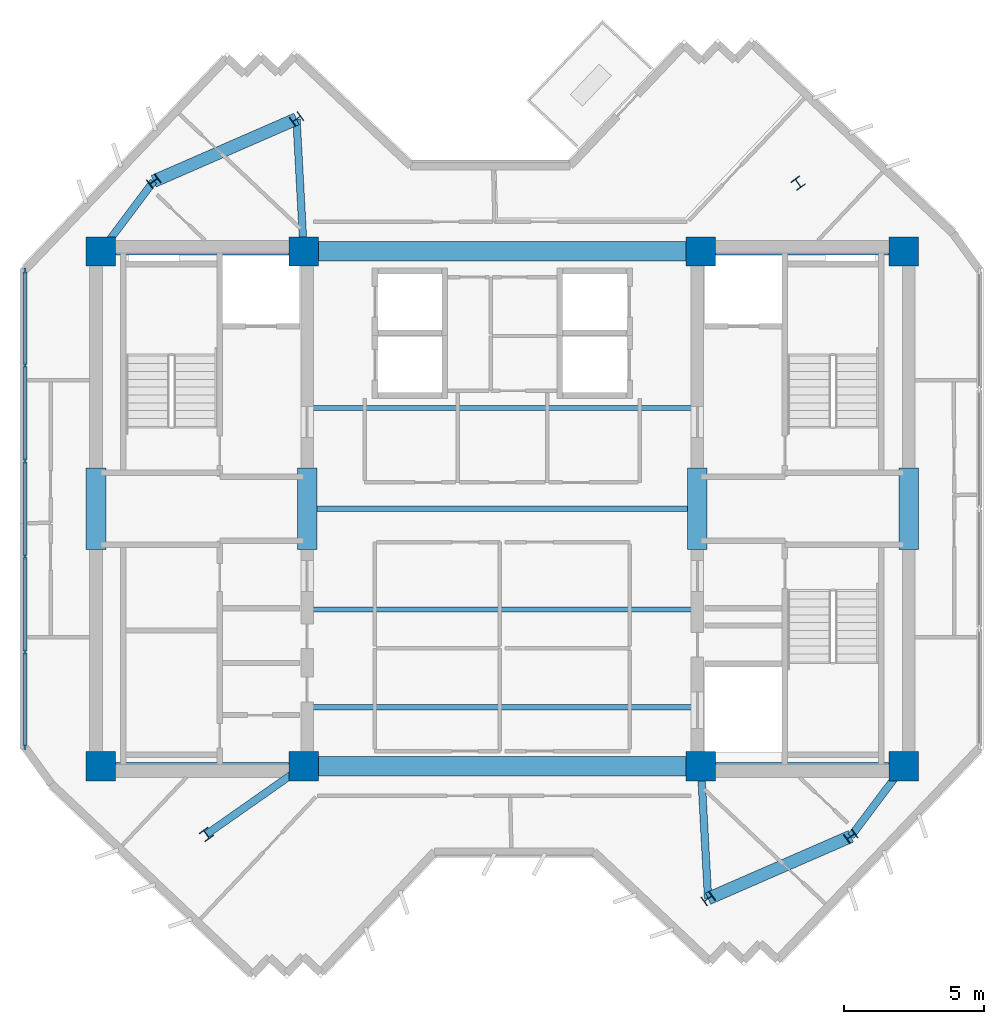
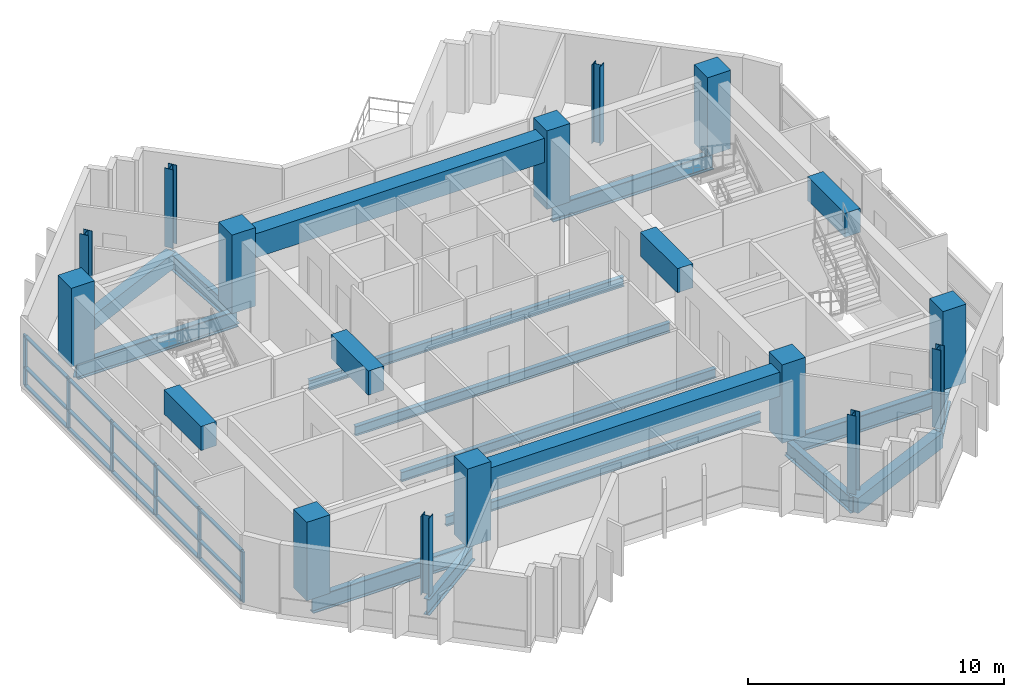
# One storey, part 1 of 9: 21 beams, 21 members, 14 columns, 1 element without a shape of its own.
"""IFC4 building model written with IfcOpenShell, lengths in metres."""

from ifc_helpers import new_model, si_unit, direction, frame, origin, origin_2d, place, context, subcontext, project, spatial, rectangle, i_section, extrude, source, transform, mapped, material, layer, layer_set, material_profile, profile_set, type_object, element, aggregate, save


model = new_model("IFC4")

# Units and contexts
model_context = context("Model", 3, precision=1e-05, world=origin(), true_north=direction((0.0, 1.0)))
body_context = subcontext(model_context, "Body", "Model", "MODEL_VIEW")
ifc_project = project(units=[si_unit("LENGTHUNIT", "METRE"), si_unit("AREAUNIT", "SQUARE_METRE"), si_unit("VOLUMEUNIT", "CUBIC_METRE"), si_unit("PLANEANGLEUNIT", "RADIAN"), si_unit("MASSUNIT", "GRAM", prefix="KILO")], contexts=[model_context])

# Site, building, storey
site_placement = place(None, origin())
site = spatial("IfcSite", under=ifc_project, at=site_placement, CompositionType="ELEMENT")
building_placement = place(site_placement, origin())
building = spatial("IfcBuilding", under=site, at=building_placement, Name="Zahravan Cultural Tower", CompositionType="ELEMENT")
storey_placement = place(building_placement, frame((0.0, 0.0, 310.35009765625)))
storey = spatial("IfcBuildingStorey", under=building, at=storey_placement, Name="L75", CompositionType="ELEMENT", Elevation=310.35009765625)

# Columns
ifc_material_1 = material(Name="Concrete C50/60", Category="concrete")
ifc_material_profile_1 = material_profile(ifc_material_1, rectangle(XDim=1.050048828125, YDim=1.050048828125, at=origin_2d()), Name="RC1050X1050")
ifc_profile_set_1 = profile_set([ifc_material_profile_1], Name="Concrete C50/60")
column_type_1 = type_object("IfcColumnType", Name="COL-RC1050", PredefinedType="COLUMN", material=ifc_profile_set_1)
shared_shape_1 = source(origin(), body_context, "Body", "SweptSolid", [
    extrude(rectangle(XDim=1.050048828125, YDim=1.050048828125, at=origin_2d()), origin(), (0.0, 0.0, 1.0), 3.75),
])
for number, where, z_axis, x_axis, name in (
    (1, (21.64990234375, 17.800048828125, 0.0), (0.0, 0.0, 1.0), (1.0, 0.0, 0.0), "L75 Column CC-W1"),
    (2, (28.89990234375, 17.800048828125, 0.0), (0.0, 0.0, 1.0), (1.0, 0.0, 0.0), "L75 Column CC-W2"),
    (3, (21.64990234375, 36.199951171875, 0.0), (0.0, 0.0, 1.0), (1.0, 0.0, 0.0), "L75 Column CC-W3"),
    (4, (28.89990234375, 36.199951171875, 0.0), (0.0, 0.0, 1.0), (1.0, 0.0, 0.0), "L75 Column CC-W4"),
    (5, (43.10009765625, 17.800048828125, 0.0), (0.0, 0.0, 1.0), (1.0, 0.0, 0.0), "L75 Column CC-E1"),
    (6, (50.35009765625, 17.800048828125, 0.0), (0.0, 0.0, 1.0), (1.0, 0.0, 0.0), "L75 Column CC-E2"),
    (7, (43.10009765625, 36.199951171875, 0.0), (0.0, 0.0, 1.0), (1.0, 0.0, 0.0), "L75 Column CC-E3"),
    (8, (50.35009765625, 36.199951171875, 0.0), (0.0, 0.0, 1.0), (1.0, 0.0, 0.0), "L75 Column CC-E4"),
):
    element("IfcColumn", number, at=place(storey_placement, frame(where, z_axis=z_axis, x_axis=x_axis)), inside=storey, type_object=column_type_1, Name=name, PredefinedType="COLUMN", context=body_context, shape_type="MappedRepresentation", body=[
        mapped(shared_shape_1, transform((0.0, 0.0, 0.0), x_axis=(1.0, 0.0, 0.0), y_axis=(0.0, 1.0, 0.0), z_axis=(0.0, 0.0, 1.0), scale=1.0)),
    ])
ifc_material_2 = material(Name="Steel ASTM A992 Grade 50", Category="steel")
ifc_material_profile_2 = material_profile(ifc_material_2, i_section(OverallWidth=0.3740234375, OverallDepth=0.3720703125, WebThickness=0.016357421875, FlangeThickness=0.026123046875, FilletRadius=0.01806640625, at=origin_2d()), Name="W14X132")
ifc_profile_set_2 = profile_set([ifc_material_profile_2], Name="Steel ASTM A992 Grade 50")
column_type_2 = type_object("IfcColumnType", Name="COL-W14X132", PredefinedType="COLUMN", material=ifc_profile_set_2)
shared_shape_2 = source(origin(), body_context, "Body", "SweptSolid", [
    extrude(i_section(OverallWidth=0.3740234375, OverallDepth=0.3720703125, WebThickness=0.016357421875, FlangeThickness=0.026123046875, FilletRadius=0.01806640625, at=origin_2d()), origin(), (0.0, 0.0, 1.0), 3.75),
])
for number, where, z_axis, x_axis, name in (
    (9, (46.577880859375, 38.640625, 0.0), (0.0, 0.0, 1.0), (0.809016994375, 0.587785252292, 0.0), "L75 Column Z3C-E2"),
    (10, (28.642578125, 40.937255859375, 0.0), (0.0, 0.0, 1.0), (-0.587785252292, 0.809016994375, 0.0), "L75 Column Z3C-N1"),
    (11, (23.536376953125, 38.710693359375, 0.0), (0.0, 0.0, 1.0), (-0.587785252292, 0.809016994375, 0.0), "L75 Column Z3C-N2"),
    (12, (25.422119140625, 15.359375, 0.0), (0.0, 0.0, 1.0), (0.809016994375, 0.587785252292, 0.0), "L75 Column Z3C-W2"),
    (13, (43.357421875, 13.062744140625, 0.0), (0.0, 0.0, 1.0), (-0.587785252292, 0.809016994375, 0.0), "L75 Column Z3C-S1"),
    (14, (48.463623046875, 15.289306640625, 0.0), (0.0, 0.0, 1.0), (-0.587785252292, 0.809016994375, 0.0), "L75 Column Z3C-S2"),
):
    element("IfcColumn", number, at=place(storey_placement, frame(where, z_axis=z_axis, x_axis=x_axis)), inside=storey, type_object=column_type_2, Name=name, PredefinedType="COLUMN", context=body_context, shape_type="MappedRepresentation", body=[
        mapped(shared_shape_2, transform((0.0, 0.0, 0.0), x_axis=(1.0, 0.0, 0.0), y_axis=(0.0, 1.0, 0.0), z_axis=(0.0, 0.0, 1.0), scale=1.0)),
    ])

# Beams
ifc_material_profile_3 = material_profile(ifc_material_1, rectangle(XDim=0.699951171875, YDim=1.14990234375, at=origin_2d()), Name="RC700X1150")
ifc_profile_set_3 = profile_set([ifc_material_profile_3], Name="Concrete C50/60")
beam_type_1 = type_object("IfcBeamType", Name="BM-LN-RC700X1150", PredefinedType="LINTEL", material=ifc_profile_set_3)
shared_shape_3 = source(origin(), body_context, "Body", "SweptSolid", [
    extrude(rectangle(XDim=0.699951171875, YDim=1.14990234375, at=origin_2d()), origin(), (0.0, 0.0, 1.0), 14.2001953125),
])
for number, where, z_axis, x_axis, name in (
    (15, (28.89990234375, 17.800048828125, 2.724853515625), (1.0, 0.0, 0.0), (0.0, 1.0, 0.0), "L75 Beam LN-L75-S"),
    (16, (28.89990234375, 36.199951171875, 2.724853515625), (1.0, 0.0, 0.0), (0.0, 1.0, 0.0), "L75 Beam LN-L75-N"),
):
    element("IfcBeam", number, at=place(storey_placement, frame(where, z_axis=z_axis, x_axis=x_axis)), inside=storey, type_object=beam_type_1, Name=name, PredefinedType="LINTEL", context=body_context, shape_type="MappedRepresentation", body=[
        mapped(shared_shape_3, transform((0.0, 0.0, 0.0), x_axis=(1.0, 0.0, 0.0), y_axis=(0.0, 1.0, 0.0), z_axis=(0.0, 0.0, 1.0), scale=1.0)),
    ])
shared_shape_4 = source(origin(), body_context, "Body", "SweptSolid", [
    extrude(rectangle(XDim=0.699951171875, YDim=1.14990234375, at=origin_2d()), origin(), (0.0, 0.0, 1.0), 2.89990234375),
])
for number, where, z_axis, x_axis, name in (
    (17, (21.47509765625, 25.550048828125, 2.724853515625), (0.0, 1.0, 0.0), (-1.0, 0.0, 0.0), "L75 Beam LN-L75-PWW"),
    (18, (29.02490234375, 25.550048828125, 2.724853515625), (0.0, 1.0, 0.0), (-1.0, 0.0, 0.0), "L75 Beam LN-L75-PWE"),
    (19, (42.97509765625, 25.550048828125, 2.724853515625), (0.0, 1.0, 0.0), (-1.0, 0.0, 0.0), "L75 Beam LN-L75-PEW"),
    (20, (50.52490234375, 25.550048828125, 2.724853515625), (0.0, 1.0, 0.0), (-1.0, 0.0, 0.0), "L75 Beam LN-L75-PEE"),
):
    element("IfcBeam", number, at=place(storey_placement, frame(where, z_axis=z_axis, x_axis=x_axis)), inside=storey, type_object=beam_type_1, Name=name, PredefinedType="LINTEL", context=body_context, shape_type="MappedRepresentation", body=[
        mapped(shared_shape_4, transform((0.0, 0.0, 0.0), x_axis=(1.0, 0.0, 0.0), y_axis=(0.0, 1.0, 0.0), z_axis=(0.0, 0.0, 1.0), scale=1.0)),
    ])
ifc_material_profile_4 = material_profile(ifc_material_2, i_section(OverallWidth=0.26611328125, OverallDepth=0.780029296875, WebThickness=0.0166015625, FlangeThickness=0.030029296875, FilletRadius=0.01904296875, at=origin_2d()), Name="W30X148")
ifc_profile_set_4 = profile_set([ifc_material_profile_4], Name="Steel ASTM A992 Grade 50")
beam_type_2 = type_object("IfcBeamType", Name="BM-G-W30X148", PredefinedType="BEAM", material=ifc_profile_set_4)
shared_shape_5 = source(origin(), body_context, "Body", "SweptSolid", [
    extrude(i_section(OverallWidth=0.26611328125, OverallDepth=0.780029296875, WebThickness=0.0166015625, FlangeThickness=0.030029296875, FilletRadius=0.01904296875, at=origin_2d()), origin(), (0.0, 0.0, 1.0), 7.25),
])
for number, where, z_axis, x_axis, name in (
    (21, (21.64990234375, 17.800048828125, -0.64013671875), (1.0, 0.0, 0.0), (0.0, 1.0, 0.0), "L75 Beam BG-L75-01"),
    (22, (21.64990234375, 36.199951171875, -0.64013671875), (1.0, 0.0, 0.0), (0.0, 1.0, 0.0), "L75 Beam BG-L75-02"),
    (23, (43.10009765625, 17.800048828125, -0.64013671875), (1.0, 0.0, 0.0), (0.0, 1.0, 0.0), "L75 Beam BG-L75-04"),
    (24, (43.10009765625, 36.199951171875, -0.64013671875), (1.0, 0.0, 0.0), (0.0, 1.0, 0.0), "L75 Beam BG-L75-05"),
):
    element("IfcBeam", number, at=place(storey_placement, frame(where, z_axis=z_axis, x_axis=x_axis)), inside=storey, type_object=beam_type_2, Name=name, PredefinedType="BEAM", context=body_context, shape_type="MappedRepresentation", body=[
        mapped(shared_shape_5, transform((0.0, 0.0, 0.0), x_axis=(1.0, 0.0, 0.0), y_axis=(0.0, 1.0, 0.0), z_axis=(0.0, 0.0, 1.0), scale=1.0)),
    ])
ifc_material_profile_5 = material_profile(ifc_material_2, i_section(OverallWidth=0.26708984375, OverallDepth=0.761962890625, WebThickness=0.014404296875, FlangeThickness=0.021484375, FilletRadius=0.01904296875, at=origin_2d()), Name="W30X116")
ifc_profile_set_5 = profile_set([ifc_material_profile_5], Name="Steel ASTM A992 Grade 50")
beam_type_3 = type_object("IfcBeamType", Name="BM-G-W30X116", PredefinedType="BEAM", material=ifc_profile_set_5)
shared_shape_6 = source(origin(), body_context, "Body", "SweptSolid", [
    extrude(i_section(OverallWidth=0.26708984375, OverallDepth=0.761962890625, WebThickness=0.014404296875, FlangeThickness=0.021484375, FilletRadius=0.01904296875, at=origin_2d()), origin(), (0.0, 0.0, 1.0), 4.248779296875),
])
beam_placement = place(storey_placement, frame((28.89990234375, 17.800048828125, -0.631103515625), z_axis=(-0.81854294596, -0.574445337365, 0.0), x_axis=(0.574445337365, -0.81854294596, 0.0)))
element("IfcBeam", 25, at=beam_placement, inside=storey, type_object=beam_type_3, Name="L75 Beam BG-L75-07", PredefinedType="BEAM", context=body_context, shape_type="MappedRepresentation", body=[
    mapped(shared_shape_6, transform((0.0, 0.0, 0.0), x_axis=(1.0, 0.0, 0.0), y_axis=(0.0, 1.0, 0.0), z_axis=(0.0, 0.0, 1.0), scale=1.0)),
])
shared_shape_7 = source(origin(), body_context, "Body", "SweptSolid", [
    extrude(i_section(OverallWidth=0.26708984375, OverallDepth=0.761962890625, WebThickness=0.014404296875, FlangeThickness=0.021484375, FilletRadius=0.01904296875, at=origin_2d()), origin(), (0.0, 0.0, 1.0), 4.744384765625),
])
for number, where, z_axis, x_axis, name in (
    (26, (43.10009765625, 17.800048828125, -0.631103515625), (0.054238739845, -0.998527996152, 0.0), (0.998527996152, 0.054238739845, 0.0), "L75 Beam BG-L75-08"),
    (27, (28.89990234375, 36.199951171875, -0.631103515625), (-0.054238739845, 0.998527996152, 0.0), (-0.998527996152, -0.054238739845, 0.0), "L75 Beam BG-L75-10"),
):
    element("IfcBeam", number, at=place(storey_placement, frame(where, z_axis=z_axis, x_axis=x_axis)), inside=storey, type_object=beam_type_3, Name=name, PredefinedType="BEAM", context=body_context, shape_type="MappedRepresentation", body=[
        mapped(shared_shape_7, transform((0.0, 0.0, 0.0), x_axis=(1.0, 0.0, 0.0), y_axis=(0.0, 1.0, 0.0), z_axis=(0.0, 0.0, 1.0), scale=1.0)),
    ])
shared_shape_8 = source(origin(), body_context, "Body", "SweptSolid", [
    extrude(i_section(OverallWidth=0.26708984375, OverallDepth=0.761962890625, WebThickness=0.014404296875, FlangeThickness=0.021484375, FilletRadius=0.01904296875, at=origin_2d()), origin(), (0.0, 0.0, 1.0), 3.140380859375),
])
for number, where, z_axis, x_axis, name in (
    (28, (50.35009765625, 17.800048828125, -0.631103515625), (-0.600696322208, -0.799477284534, 0.0), (0.799477284534, -0.600696322208, 0.0), "L75 Beam BG-L75-09"),
    (29, (21.64990234375, 36.199951171875, -0.631103515625), (0.600696322208, 0.799477284534, 0.0), (-0.799477284534, 0.600696322208, 0.0), "L75 Beam BG-L75-11"),
):
    element("IfcBeam", number, at=place(storey_placement, frame(where, z_axis=z_axis, x_axis=x_axis)), inside=storey, type_object=beam_type_3, Name=name, PredefinedType="BEAM", context=body_context, shape_type="MappedRepresentation", body=[
        mapped(shared_shape_8, transform((0.0, 0.0, 0.0), x_axis=(1.0, 0.0, 0.0), y_axis=(0.0, 1.0, 0.0), z_axis=(0.0, 0.0, 1.0), scale=1.0)),
    ])
ifc_material_3 = material(Name="Concrete C45/55", Category="concrete")
ifc_material_profile_6 = material_profile(ifc_material_3, rectangle(XDim=0.449951171875, YDim=0.719970703125, at=origin_2d()), Name="RC450X720")
ifc_profile_set_6 = profile_set([ifc_material_profile_6], Name="Concrete C45/55")
beam_type_4 = type_object("IfcBeamType", Name="BM-SP-RC450X720", PredefinedType="SPANDREL", material=ifc_profile_set_6)
shared_shape_9 = source(origin(), body_context, "Body", "SweptSolid", [
    extrude(rectangle(XDim=0.449951171875, YDim=0.719970703125, at=origin_2d()), origin(), (0.0, 0.0, 1.0), 5.570556640625),
])
for number, where, z_axis, x_axis, name in (
    (30, (43.357421875, 13.062744140625, -0.610107421875), (0.9166445026, 0.399703459896, 0.0), (-0.399703459896, 0.9166445026, 0.0), "L75 Beam SP-L75-12"),
    (31, (28.642578125, 40.937255859375, -0.610107421875), (-0.9166445026, -0.399703459896, 0.0), (0.399703459896, -0.9166445026, 0.0), "L75 Beam SP-L75-13"),
):
    element("IfcBeam", number, at=place(storey_placement, frame(where, z_axis=z_axis, x_axis=x_axis)), inside=storey, type_object=beam_type_4, Name=name, PredefinedType="SPANDREL", context=body_context, shape_type="MappedRepresentation", body=[
        mapped(shared_shape_9, transform((0.0, 0.0, 0.0), x_axis=(1.0, 0.0, 0.0), y_axis=(0.0, 1.0, 0.0), z_axis=(0.0, 0.0, 1.0), scale=1.0)),
    ])
ifc_material_profile_7 = material_profile(ifc_material_2, i_section(OverallWidth=0.18994140625, OverallDepth=0.45703125, WebThickness=0.009033203125, FlangeThickness=0.014404296875, FilletRadius=0.012939453125, at=origin_2d()), Name="W18X50")
ifc_profile_set_7 = profile_set([ifc_material_profile_7], Name="Steel ASTM A992 Grade 50")
beam_type_5 = type_object("IfcBeamType", Name="BM-J-W18X50", PredefinedType="JOIST", material=ifc_profile_set_7)
shared_shape_10 = source(origin(), body_context, "Body", "SweptSolid", [
    extrude(i_section(OverallWidth=0.18994140625, OverallDepth=0.45703125, WebThickness=0.009033203125, FlangeThickness=0.014404296875, FilletRadius=0.012939453125, at=origin_2d()), origin(), (0.0, 0.0, 1.0), 14.2001953125),
])
for number, where, z_axis, x_axis, name in (
    (32, (28.89990234375, 19.89990234375, -0.478515625), (1.0, 0.0, 0.0), (0.0, 1.0, 0.0), "L75 Beam BJ-L75-14"),
    (33, (28.89990234375, 23.39990234375, -0.478515625), (1.0, 0.0, 0.0), (0.0, 1.0, 0.0), "L75 Beam BJ-L75-15"),
    (34, (28.89990234375, 27.0, -0.478515625), (1.0, 0.0, 0.0), (0.0, 1.0, 0.0), "L75 Beam BJ-L75-16"),
    (35, (28.89990234375, 30.60009765625, -0.478515625), (1.0, 0.0, 0.0), (0.0, 1.0, 0.0), "L75 Beam BJ-L75-17"),
):
    element("IfcBeam", number, at=place(storey_placement, frame(where, z_axis=z_axis, x_axis=x_axis)), inside=storey, type_object=beam_type_5, Name=name, PredefinedType="JOIST", context=body_context, shape_type="MappedRepresentation", body=[
        mapped(shared_shape_10, transform((0.0, 0.0, 0.0), x_axis=(1.0, 0.0, 0.0), y_axis=(0.0, 1.0, 0.0), z_axis=(0.0, 0.0, 1.0), scale=1.0)),
    ])

# Curtain wall, members
ifc_material_4 = material(Name="Anodised bronze-aluminium mullion", Category="aluminium")
ifc_layer = layer(ifc_material_4, 0.199951171875)
ifc_layer_set = layer_set([ifc_layer], Name="Anodised bronze-aluminium mullion")
curtain_wall_type = type_object("IfcCurtainWallType", Name="CW-SYS-2", PredefinedType="USERDEFINED", material=ifc_layer_set)
curtain_wall_placement = place(storey_placement, origin())
curtain_wall = element("IfcCurtainWall", 36, at=curtain_wall_placement, inside=storey, type_object=curtain_wall_type, Name="L75 Recessed Curtain Wall CW-2.2", ObjectType="RECESSED GLAZING", PredefinedType="USERDEFINED")
ifc_material_profile_8 = material_profile(ifc_material_4, rectangle(XDim=0.14990234375, YDim=0.074951171875, at=origin_2d()), Name="AL-T75X150")
ifc_profile_set_8 = profile_set([ifc_material_profile_8], Name="Anodised bronze-aluminium mullion")
member_type_1 = type_object("IfcMemberType", Name="CWT-CW-2", PredefinedType="USERDEFINED", material=ifc_profile_set_8)
shared_shape_11 = source(origin(), body_context, "Body", "SweptSolid", [
    extrude(rectangle(XDim=0.14990234375, YDim=0.074951171875, at=origin_2d()), origin(), (0.0, 0.0, 1.0), 3.304443359375),
])
member_1_placement = place(storey_placement, frame((18.93994140625, 18.532958984375, 0.037353515625), z_axis=(0.0, 1.0, 0.0), x_axis=(-1.0, 0.0, 0.0)))
member_1 = element("IfcMember", 37, at=member_1_placement, type_object=member_type_1, Name="CW-2 transom 1.1", ObjectType="TRANSOM", PredefinedType="USERDEFINED", context=body_context, shape_type="MappedRepresentation", body=[
    mapped(shared_shape_11, transform((0.0, 0.0, 0.0), x_axis=(1.0, 0.0, 0.0), y_axis=(0.0, 1.0, 0.0), z_axis=(0.0, 0.0, 1.0), scale=1.0)),
])
member_2_placement = place(storey_placement, frame((18.93994140625, 18.532958984375, 0.89990234375), z_axis=(0.0, 1.0, 0.0), x_axis=(-1.0, 0.0, 0.0)))
member_2 = element("IfcMember", 38, at=member_2_placement, type_object=member_type_1, Name="CW-2 transom 1.2", ObjectType="TRANSOM", PredefinedType="USERDEFINED", context=body_context, shape_type="MappedRepresentation", body=[
    mapped(shared_shape_11, transform((0.0, 0.0, 0.0), x_axis=(1.0, 0.0, 0.0), y_axis=(0.0, 1.0, 0.0), z_axis=(0.0, 0.0, 1.0), scale=1.0)),
])
member_3_placement = place(storey_placement, frame((18.93994140625, 18.532958984375, 2.38232421875), z_axis=(0.0, 1.0, 0.0), x_axis=(-1.0, 0.0, 0.0)))
member_3 = element("IfcMember", 39, at=member_3_placement, type_object=member_type_1, Name="CW-2 transom 1.3", ObjectType="TRANSOM", PredefinedType="USERDEFINED", context=body_context, shape_type="MappedRepresentation", body=[
    mapped(shared_shape_11, transform((0.0, 0.0, 0.0), x_axis=(1.0, 0.0, 0.0), y_axis=(0.0, 1.0, 0.0), z_axis=(0.0, 0.0, 1.0), scale=1.0)),
])
member_4_placement = place(storey_placement, frame((18.93994140625, 32.16259765625, 0.037353515625), z_axis=(0.0, 1.0, 0.0), x_axis=(-1.0, 0.0, 0.0)))
member_4 = element("IfcMember", 40, at=member_4_placement, type_object=member_type_1, Name="CW-2 transom 5.1", ObjectType="TRANSOM", PredefinedType="USERDEFINED", context=body_context, shape_type="MappedRepresentation", body=[
    mapped(shared_shape_11, transform((0.0, 0.0, 0.0), x_axis=(1.0, 0.0, 0.0), y_axis=(0.0, 1.0, 0.0), z_axis=(0.0, 0.0, 1.0), scale=1.0)),
])
member_5_placement = place(storey_placement, frame((18.93994140625, 32.16259765625, 0.89990234375), z_axis=(0.0, 1.0, 0.0), x_axis=(-1.0, 0.0, 0.0)))
member_5 = element("IfcMember", 41, at=member_5_placement, type_object=member_type_1, Name="CW-2 transom 5.2", ObjectType="TRANSOM", PredefinedType="USERDEFINED", context=body_context, shape_type="MappedRepresentation", body=[
    mapped(shared_shape_11, transform((0.0, 0.0, 0.0), x_axis=(1.0, 0.0, 0.0), y_axis=(0.0, 1.0, 0.0), z_axis=(0.0, 0.0, 1.0), scale=1.0)),
])
member_6_placement = place(storey_placement, frame((18.93994140625, 32.16259765625, 2.38232421875), z_axis=(0.0, 1.0, 0.0), x_axis=(-1.0, 0.0, 0.0)))
member_6 = element("IfcMember", 42, at=member_6_placement, type_object=member_type_1, Name="CW-2 transom 5.3", ObjectType="TRANSOM", PredefinedType="USERDEFINED", context=body_context, shape_type="MappedRepresentation", body=[
    mapped(shared_shape_11, transform((0.0, 0.0, 0.0), x_axis=(1.0, 0.0, 0.0), y_axis=(0.0, 1.0, 0.0), z_axis=(0.0, 0.0, 1.0), scale=1.0)),
])
shared_shape_12 = source(origin(), body_context, "Body", "SweptSolid", [
    extrude(rectangle(XDim=0.14990234375, YDim=0.074951171875, at=origin_2d()), origin(), (0.0, 0.0, 1.0), 3.341796875),
])
member_7_placement = place(storey_placement, frame((18.93994140625, 21.912353515625, 0.037353515625), z_axis=(0.0, 1.0, 0.0), x_axis=(-1.0, 0.0, 0.0)))
member_7 = element("IfcMember", 43, at=member_7_placement, type_object=member_type_1, Name="CW-2 transom 2.1", ObjectType="TRANSOM", PredefinedType="USERDEFINED", context=body_context, shape_type="MappedRepresentation", body=[
    mapped(shared_shape_12, transform((0.0, 0.0, 0.0), x_axis=(1.0, 0.0, 0.0), y_axis=(0.0, 1.0, 0.0), z_axis=(0.0, 0.0, 1.0), scale=1.0)),
])
member_8_placement = place(storey_placement, frame((18.93994140625, 21.912353515625, 0.89990234375), z_axis=(0.0, 1.0, 0.0), x_axis=(-1.0, 0.0, 0.0)))
member_8 = element("IfcMember", 44, at=member_8_placement, type_object=member_type_1, Name="CW-2 transom 2.2", ObjectType="TRANSOM", PredefinedType="USERDEFINED", context=body_context, shape_type="MappedRepresentation", body=[
    mapped(shared_shape_12, transform((0.0, 0.0, 0.0), x_axis=(1.0, 0.0, 0.0), y_axis=(0.0, 1.0, 0.0), z_axis=(0.0, 0.0, 1.0), scale=1.0)),
])
member_9_placement = place(storey_placement, frame((18.93994140625, 21.912353515625, 2.38232421875), z_axis=(0.0, 1.0, 0.0), x_axis=(-1.0, 0.0, 0.0)))
member_9 = element("IfcMember", 45, at=member_9_placement, type_object=member_type_1, Name="CW-2 transom 2.3", ObjectType="TRANSOM", PredefinedType="USERDEFINED", context=body_context, shape_type="MappedRepresentation", body=[
    mapped(shared_shape_12, transform((0.0, 0.0, 0.0), x_axis=(1.0, 0.0, 0.0), y_axis=(0.0, 1.0, 0.0), z_axis=(0.0, 0.0, 1.0), scale=1.0)),
])
member_10_placement = place(storey_placement, frame((18.93994140625, 25.3291015625, 0.037353515625), z_axis=(0.0, 1.0, 0.0), x_axis=(-1.0, 0.0, 0.0)))
member_10 = element("IfcMember", 46, at=member_10_placement, type_object=member_type_1, Name="CW-2 transom 3.1", ObjectType="TRANSOM", PredefinedType="USERDEFINED", context=body_context, shape_type="MappedRepresentation", body=[
    mapped(shared_shape_12, transform((0.0, 0.0, 0.0), x_axis=(1.0, 0.0, 0.0), y_axis=(0.0, 1.0, 0.0), z_axis=(0.0, 0.0, 1.0), scale=1.0)),
])
member_11_placement = place(storey_placement, frame((18.93994140625, 25.3291015625, 0.89990234375), z_axis=(0.0, 1.0, 0.0), x_axis=(-1.0, 0.0, 0.0)))
member_11 = element("IfcMember", 47, at=member_11_placement, type_object=member_type_1, Name="CW-2 transom 3.2", ObjectType="TRANSOM", PredefinedType="USERDEFINED", context=body_context, shape_type="MappedRepresentation", body=[
    mapped(shared_shape_12, transform((0.0, 0.0, 0.0), x_axis=(1.0, 0.0, 0.0), y_axis=(0.0, 1.0, 0.0), z_axis=(0.0, 0.0, 1.0), scale=1.0)),
])
member_12_placement = place(storey_placement, frame((18.93994140625, 25.3291015625, 2.38232421875), z_axis=(0.0, 1.0, 0.0), x_axis=(-1.0, 0.0, 0.0)))
member_12 = element("IfcMember", 48, at=member_12_placement, type_object=member_type_1, Name="CW-2 transom 3.3", ObjectType="TRANSOM", PredefinedType="USERDEFINED", context=body_context, shape_type="MappedRepresentation", body=[
    mapped(shared_shape_12, transform((0.0, 0.0, 0.0), x_axis=(1.0, 0.0, 0.0), y_axis=(0.0, 1.0, 0.0), z_axis=(0.0, 0.0, 1.0), scale=1.0)),
])
member_13_placement = place(storey_placement, frame((18.93994140625, 28.745849609375, 0.037353515625), z_axis=(0.0, 1.0, 0.0), x_axis=(-1.0, 0.0, 0.0)))
member_13 = element("IfcMember", 49, at=member_13_placement, type_object=member_type_1, Name="CW-2 transom 4.1", ObjectType="TRANSOM", PredefinedType="USERDEFINED", context=body_context, shape_type="MappedRepresentation", body=[
    mapped(shared_shape_12, transform((0.0, 0.0, 0.0), x_axis=(1.0, 0.0, 0.0), y_axis=(0.0, 1.0, 0.0), z_axis=(0.0, 0.0, 1.0), scale=1.0)),
])
member_14_placement = place(storey_placement, frame((18.93994140625, 28.745849609375, 0.89990234375), z_axis=(0.0, 1.0, 0.0), x_axis=(-1.0, 0.0, 0.0)))
member_14 = element("IfcMember", 50, at=member_14_placement, type_object=member_type_1, Name="CW-2 transom 4.2", ObjectType="TRANSOM", PredefinedType="USERDEFINED", context=body_context, shape_type="MappedRepresentation", body=[
    mapped(shared_shape_12, transform((0.0, 0.0, 0.0), x_axis=(1.0, 0.0, 0.0), y_axis=(0.0, 1.0, 0.0), z_axis=(0.0, 0.0, 1.0), scale=1.0)),
])
member_15_placement = place(storey_placement, frame((18.93994140625, 28.745849609375, 2.38232421875), z_axis=(0.0, 1.0, 0.0), x_axis=(-1.0, 0.0, 0.0)))
member_15 = element("IfcMember", 51, at=member_15_placement, type_object=member_type_1, Name="CW-2 transom 4.3", ObjectType="TRANSOM", PredefinedType="USERDEFINED", context=body_context, shape_type="MappedRepresentation", body=[
    mapped(shared_shape_12, transform((0.0, 0.0, 0.0), x_axis=(1.0, 0.0, 0.0), y_axis=(0.0, 1.0, 0.0), z_axis=(0.0, 0.0, 1.0), scale=1.0)),
])
ifc_material_profile_9 = material_profile(ifc_material_4, rectangle(XDim=0.074951171875, YDim=0.199951171875, at=origin_2d()), Name="AL-M75X200")
ifc_profile_set_9 = profile_set([ifc_material_profile_9], Name="Anodised bronze-aluminium mullion")
member_type_2 = type_object("IfcMemberType", Name="CWM-CW-2", PredefinedType="MULLION", material=ifc_profile_set_9)
shared_shape_13 = source(origin(), body_context, "Body", "SweptSolid", [
    extrude(rectangle(XDim=0.074951171875, YDim=0.199951171875, at=origin_2d()), origin(), (0.0, 0.0, 1.0), 2.419921875),
])
member_16_placement = place(storey_placement, frame((18.93994140625, 18.49560546875, 0.0), z_axis=(0.0, 0.0, 1.0), x_axis=(-1.0, 0.0, 0.0)))
member_16 = element("IfcMember", 52, at=member_16_placement, type_object=member_type_2, Name="CW-2 mullion 1", PredefinedType="MULLION", context=body_context, shape_type="MappedRepresentation", body=[
    mapped(shared_shape_13, transform((0.0, 0.0, 0.0), x_axis=(1.0, 0.0, 0.0), y_axis=(0.0, 1.0, 0.0), z_axis=(0.0, 0.0, 1.0), scale=1.0)),
])
member_17_placement = place(storey_placement, frame((18.93994140625, 21.874755859375, 0.0), z_axis=(0.0, 0.0, 1.0), x_axis=(-1.0, 0.0, 0.0)))
member_17 = element("IfcMember", 53, at=member_17_placement, type_object=member_type_2, Name="CW-2 mullion 2", PredefinedType="MULLION", context=body_context, shape_type="MappedRepresentation", body=[
    mapped(shared_shape_13, transform((0.0, 0.0, 0.0), x_axis=(1.0, 0.0, 0.0), y_axis=(0.0, 1.0, 0.0), z_axis=(0.0, 0.0, 1.0), scale=1.0)),
])
member_18_placement = place(storey_placement, frame((18.93994140625, 25.29150390625, 0.0), z_axis=(0.0, 0.0, 1.0), x_axis=(-1.0, 0.0, 0.0)))
member_18 = element("IfcMember", 54, at=member_18_placement, type_object=member_type_2, Name="CW-2 mullion 3", PredefinedType="MULLION", context=body_context, shape_type="MappedRepresentation", body=[
    mapped(shared_shape_13, transform((0.0, 0.0, 0.0), x_axis=(1.0, 0.0, 0.0), y_axis=(0.0, 1.0, 0.0), z_axis=(0.0, 0.0, 1.0), scale=1.0)),
])
member_19_placement = place(storey_placement, frame((18.93994140625, 28.70849609375, 0.0), z_axis=(0.0, 0.0, 1.0), x_axis=(-1.0, 0.0, 0.0)))
member_19 = element("IfcMember", 55, at=member_19_placement, type_object=member_type_2, Name="CW-2 mullion 4", PredefinedType="MULLION", context=body_context, shape_type="MappedRepresentation", body=[
    mapped(shared_shape_13, transform((0.0, 0.0, 0.0), x_axis=(1.0, 0.0, 0.0), y_axis=(0.0, 1.0, 0.0), z_axis=(0.0, 0.0, 1.0), scale=1.0)),
])
member_20_placement = place(storey_placement, frame((18.93994140625, 32.125244140625, 0.0), z_axis=(0.0, 0.0, 1.0), x_axis=(-1.0, 0.0, 0.0)))
member_20 = element("IfcMember", 56, at=member_20_placement, type_object=member_type_2, Name="CW-2 mullion 5", PredefinedType="MULLION", context=body_context, shape_type="MappedRepresentation", body=[
    mapped(shared_shape_13, transform((0.0, 0.0, 0.0), x_axis=(1.0, 0.0, 0.0), y_axis=(0.0, 1.0, 0.0), z_axis=(0.0, 0.0, 1.0), scale=1.0)),
])
member_21_placement = place(storey_placement, frame((18.93994140625, 35.50439453125, 0.0), z_axis=(0.0, 0.0, 1.0), x_axis=(-1.0, 0.0, 0.0)))
member_21 = element("IfcMember", 57, at=member_21_placement, type_object=member_type_2, Name="CW-2 mullion 6", PredefinedType="MULLION", context=body_context, shape_type="MappedRepresentation", body=[
    mapped(shared_shape_13, transform((0.0, 0.0, 0.0), x_axis=(1.0, 0.0, 0.0), y_axis=(0.0, 1.0, 0.0), z_axis=(0.0, 0.0, 1.0), scale=1.0)),
])
aggregate(curtain_wall, [member_16, member_17, member_18, member_19, member_20, member_21, member_1, member_2, member_3, member_7, member_8, member_9, member_10, member_11, member_12, member_13, member_14, member_15, member_4, member_5, member_6])

save(model, "model.ifc")
